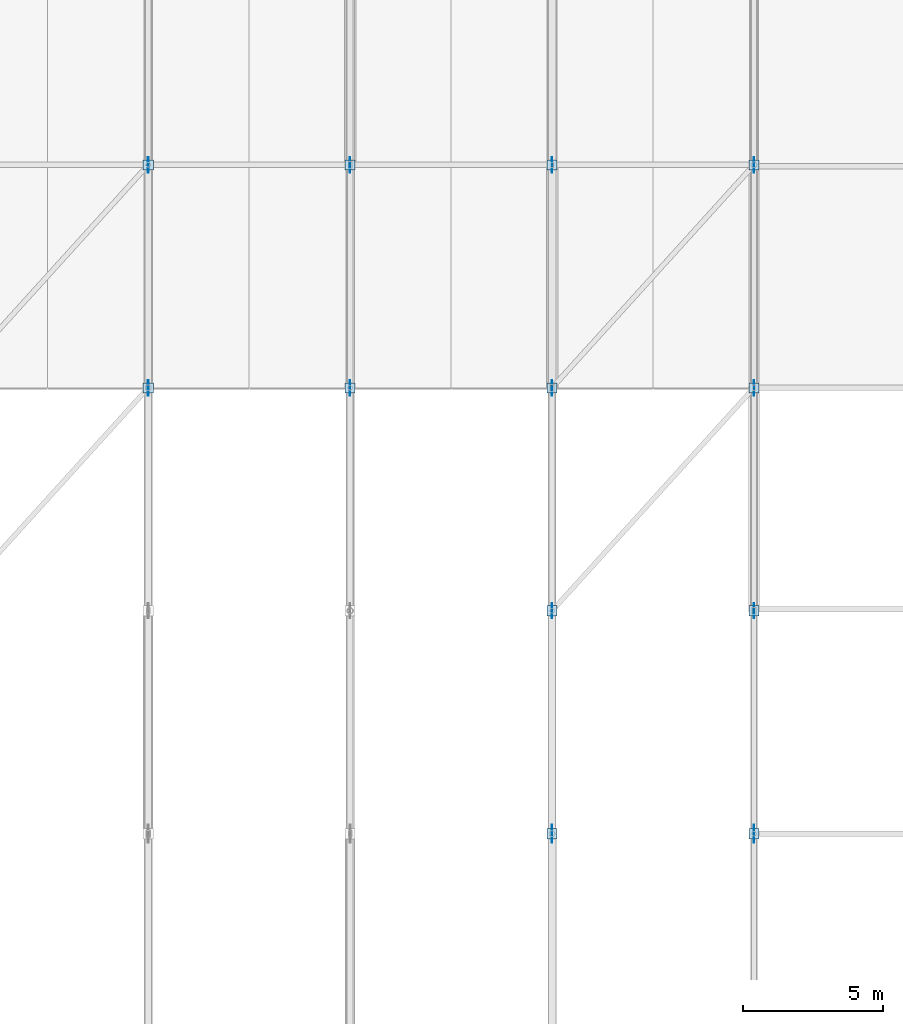
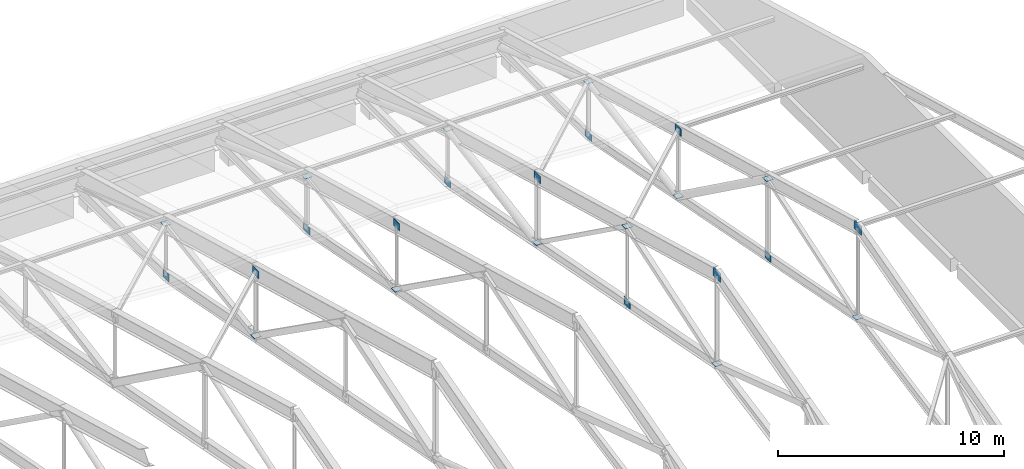
# One storey, part 46 of 53: 24 plates.
"""IFC4 building model written with IfcOpenShell, lengths in metres."""

from ifc_helpers import new_model, si_unit, direction, frame, origin, origin_2d, place, context, subcontext, project, spatial, rectangle, extrude, material, layer, layer_set, type_object, element, save


model = new_model("IFC4")

# Units and contexts
model_context = context("Model", 3, precision=1e-05, world=origin(), true_north=direction((0.0, 1.0)))
body_context = subcontext(model_context, "Body", "Model", "MODEL_VIEW")
ifc_project = project(units=[si_unit("LENGTHUNIT", "METRE"), si_unit("AREAUNIT", "SQUARE_METRE"), si_unit("VOLUMEUNIT", "CUBIC_METRE"), si_unit("PLANEANGLEUNIT", "RADIAN"), si_unit("MASSUNIT", "GRAM", prefix="KILO")], contexts=[model_context])

# Site, building, storey
site_placement = place(None, origin())
site = spatial("IfcSite", under=ifc_project, at=site_placement, CompositionType="ELEMENT")
building_placement = place(site_placement, origin())
building = spatial("IfcBuilding", under=site, at=building_placement, Name="Pellamere Symphony Hall", CompositionType="ELEMENT")
storey_placement = place(building_placement, frame((0.0, 0.0, 24.0)))
storey = spatial("IfcBuildingStorey", under=building, at=storey_placement, Name="L05", CompositionType="ELEMENT", Elevation=24.0)

# Plates
ifc_material = material(Name="Steel CSA G40.21 350W", Category="steel")
ifc_layer_1 = layer(ifc_material, 0.02197265625, Name="Steel CSA G40.21 350W")
ifc_layer_set_1 = layer_set([ifc_layer_1], Name="Steel CSA G40.21 350W")
plate_type_1 = type_object("IfcPlateType", Name="Steel Connection Plate KP-02 360x360x22", PredefinedType="SHEET", material=ifc_layer_set_1)
for number, where, z_axis, x_axis, name in (
    (1, (87.60009765625, 77.699951171875, 1.69580078125), (0.0, 0.0, 1.0), (1.0, 0.0, 0.0), "Roof Truss Node End Cap Plate KN1 083"),
    (2, (87.60009765625, 85.64990234375, 2.950439453125), (0.0, 0.0, 1.0), (1.0, 0.0, 0.0), "Roof Truss Node End Cap Plate KN2 084"),
    (3, (94.800048828125, 77.699951171875, 1.69580078125), (0.0, 0.0, 1.0), (1.0, 0.0, 0.0), "Roof Truss Node End Cap Plate KN1 101"),
    (4, (94.800048828125, 85.64990234375, 2.988525390625), (0.0, 0.0, 1.0), (1.0, 0.0, 0.0), "Roof Truss Node End Cap Plate KN2 102"),
    (5, (102.0, 61.800048828125, 4.7890625), (0.0, 0.0, 1.0), (1.0, 0.0, 0.0), "Roof Truss Node End Cap Plate KN4 117"),
    (6, (102.0, 69.75, 7.408935546875), (0.0, 0.0, 1.0), (1.0, 0.0, 0.0), "Roof Truss Node End Cap Plate KN5 118"),
    (7, (102.0, 77.699951171875, 1.69580078125), (0.0, 0.0, 1.0), (1.0, 0.0, 0.0), "Roof Truss Node End Cap Plate KN1 119"),
    (8, (102.0, 85.64990234375, 3.029052734375), (0.0, 0.0, 1.0), (1.0, 0.0, 0.0), "Roof Truss Node End Cap Plate KN2 120"),
    (9, (109.199951171875, 61.800048828125, 4.7890625), (0.0, 0.0, 1.0), (1.0, 0.0, 0.0), "Roof Truss Node End Cap Plate KN4 137"),
    (10, (109.199951171875, 69.75, 7.449951171875), (0.0, 0.0, 1.0), (1.0, 0.0, 0.0), "Roof Truss Node End Cap Plate KN5 138"),
    (11, (109.199951171875, 77.699951171875, 1.69580078125), (0.0, 0.0, 1.0), (1.0, 0.0, 0.0), "Roof Truss Node End Cap Plate KN1 139"),
    (12, (109.199951171875, 85.64990234375, 3.070068359375), (0.0, 0.0, 1.0), (1.0, 0.0, 0.0), "Roof Truss Node End Cap Plate KN2 140"),
):
    element("IfcPlate", number, at=place(storey_placement, frame(where, z_axis=z_axis, x_axis=x_axis)), inside=storey, type_object=plate_type_1, Name=name, PredefinedType="SHEET", context=body_context, shape_type="SweptSolid", body=[
        extrude(rectangle(XDim=0.360107421875, YDim=0.360107421875, at=origin_2d()), origin(), (0.0, 0.0, 1.0), 0.02197265625),
    ])
ifc_layer_2 = layer(ifc_material, 0.028076171875, Name="Steel CSA G40.21 350W")
ifc_layer_set_2 = layer_set([ifc_layer_2], Name="Steel CSA G40.21 350W")
plate_type_2 = type_object("IfcPlateType", Name="Steel Connection Plate KP-03 650x480x28", PredefinedType="USERDEFINED", material=ifc_layer_set_2)
for number, where, z_axis, x_axis, name in (
    (13, (102.0, 61.800048828125, 9.3701171875), (0.0, 0.0, 1.0), (1.0, 0.0, 0.0), "Roof Truss Upper Gusset Plate KN5 127"),
    (14, (109.199951171875, 61.800048828125, 9.410888671875), (0.0, 0.0, 1.0), (1.0, 0.0, 0.0), "Roof Truss Upper Gusset Plate KN5 147"),
):
    element("IfcPlate", number, at=place(storey_placement, frame(where, z_axis=z_axis, x_axis=x_axis)), inside=storey, type_object=plate_type_2, Name=name, ObjectType="GUSSET PLATE", PredefinedType="USERDEFINED", context=body_context, shape_type="SweptSolid", body=[
        extrude(rectangle(XDim=0.028076171875, YDim=0.64990234375, at=origin_2d()), origin(), (0.0, 0.0, 1.0), 0.47998046875),
    ])
ifc_layer_3 = layer(ifc_material, 0.02392578125, Name="Steel CSA G40.21 350W")
ifc_layer_set_3 = layer_set([ifc_layer_3], Name="Steel CSA G40.21 350W")
plate_type_3 = type_object("IfcPlateType", Name="Steel Connection Plate KP-04 550x400x24", PredefinedType="USERDEFINED", material=ifc_layer_set_3)
for number, where, z_axis, x_axis, name in (
    (15, (87.60009765625, 77.699951171875, 4.95166015625), (0.0, 0.0, 1.0), (1.0, 0.0, 0.0), "Roof Truss Upper Gusset Plate KN2 092"),
    (16, (87.60009765625, 85.64990234375, -0.0400390625), (0.0, 0.0, 1.0), (1.0, 0.0, 0.0), "Roof Truss Lower Gusset Plate KN3 093"),
    (17, (94.800048828125, 77.699951171875, 4.989501953125), (0.0, 0.0, 1.0), (1.0, 0.0, 0.0), "Roof Truss Upper Gusset Plate KN2 110"),
    (18, (94.800048828125, 85.64990234375, -0.0400390625), (0.0, 0.0, 1.0), (1.0, 0.0, 0.0), "Roof Truss Lower Gusset Plate KN3 111"),
    (19, (102.0, 69.75, 3.053466796875), (0.0, 0.0, 1.0), (1.0, 0.0, 0.0), "Roof Truss Lower Gusset Plate KN1 128"),
    (20, (102.0, 77.699951171875, 5.030029296875), (0.0, 0.0, 1.0), (1.0, 0.0, 0.0), "Roof Truss Upper Gusset Plate KN2 129"),
    (21, (102.0, 85.64990234375, -0.0400390625), (0.0, 0.0, 1.0), (1.0, 0.0, 0.0), "Roof Truss Lower Gusset Plate KN3 130"),
    (22, (109.199951171875, 69.75, 3.053466796875), (0.0, 0.0, 1.0), (1.0, 0.0, 0.0), "Roof Truss Lower Gusset Plate KN1 148"),
    (23, (109.199951171875, 77.699951171875, 5.071044921875), (0.0, 0.0, 1.0), (1.0, 0.0, 0.0), "Roof Truss Upper Gusset Plate KN2 149"),
    (24, (109.199951171875, 85.64990234375, -0.0400390625), (0.0, 0.0, 1.0), (1.0, 0.0, 0.0), "Roof Truss Lower Gusset Plate KN3 150"),
):
    element("IfcPlate", number, at=place(storey_placement, frame(where, z_axis=z_axis, x_axis=x_axis)), inside=storey, type_object=plate_type_3, Name=name, ObjectType="GUSSET PLATE", PredefinedType="USERDEFINED", context=body_context, shape_type="SweptSolid", body=[
        extrude(rectangle(XDim=0.02392578125, YDim=0.550048828125, at=origin_2d()), origin(), (0.0, 0.0, 1.0), 0.39990234375),
    ])

save(model, "model.ifc")
